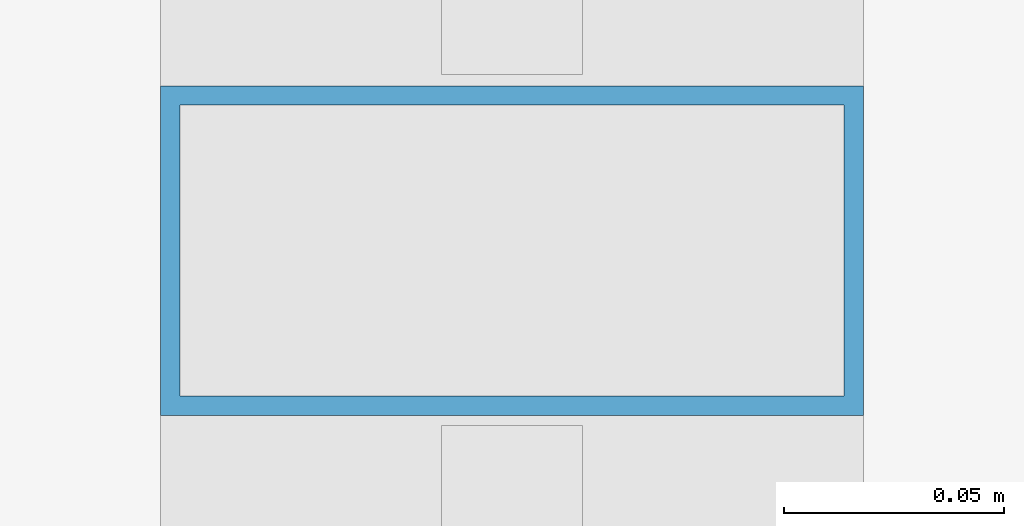
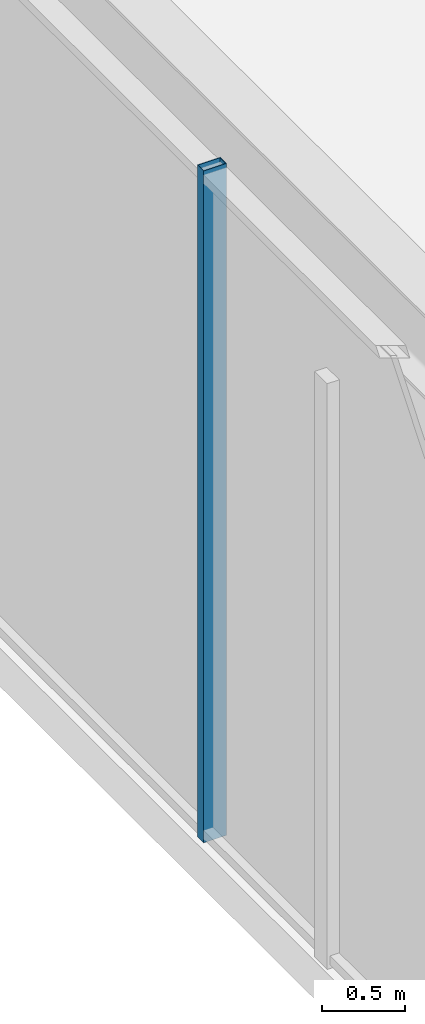
# One storey, part 28 of 49: 1 member, 1 element without a shape of its own.
"""IFC4 building model written with IfcOpenShell, lengths in metres."""

import ifcopenshell
import ifcopenshell.guid

model = None  # the IFC model being written
_history = None  # IfcOwnerHistory: only IFC2X3 demands one
_inside = {}  # id of a spatial element -> (the spatial element, [elements in it])
_under = {}  # id of a project, library or spatial element -> (it, [spatial elements below it])
_declared = {}  # id of a project -> (the project, [libraries it declares])
_typed = {}  # id of a type object -> (the type object, [elements of that type])
_made_of = {}  # id of a material, layer set ... -> (it, [elements and type objects made of it])


def new_model(schema):
    """Start an empty IFC model of exactly this schema.

    Asked for "IFC4X3", IfcOpenShell would pick the latest addendum, in which some entities
    have other attributes; the version numbers below select the first issue.
    IFC2X3 requires an IfcOwnerHistory on every rooted entity: one is made here for all.
    """
    global model, _history
    if schema == "IFC4X3":
        model = ifcopenshell.file(schema_version=(4, 3, 0, 0))
    else:
        model = ifcopenshell.file(schema=schema)
    _inside.clear()
    _under.clear()
    _declared.clear()
    _typed.clear()
    _made_of.clear()
    _history = None
    if model.schema == "IFC2X3":
        org = make("IfcOrganization", Name="unknown")
        user = make(
            "IfcPersonAndOrganization",
            ThePerson=make("IfcPerson", FamilyName="unknown"),
            TheOrganization=org,
        )
        app = make(
            "IfcApplication",
            ApplicationDeveloper=org,
            Version="unknown",
            ApplicationFullName="unknown",
            ApplicationIdentifier="unknown",
        )
        _history = make(
            "IfcOwnerHistory",
            OwningUser=user,
            OwningApplication=app,
            ChangeAction="ADDED",
            CreationDate=0,
        )
    return model


def make(cls, **values):
    """One entity of the class cls with the attributes given. An attribute that is None is left unset."""
    return model.create_entity(
        cls, **{name: value for name, value in values.items() if value is not None}
    )


def rooted(cls, **values):
    """An entity with a GlobalId (a new one), such as an element, a storey or a relation."""
    return make(cls, GlobalId=ifcopenshell.guid.new(), OwnerHistory=_history, **values)


def si_unit(unit_type, name, prefix=None):
    """IfcSIUnit, for example si_unit("LENGTHUNIT", "METRE", prefix="MILLI")."""
    return make("IfcSIUnit", UnitType=unit_type, Prefix=prefix, Name=name)


def assignment(units):
    """IfcUnitAssignment: the units of a project."""
    return None if units is None else make("IfcUnitAssignment", Units=units)


def point(xyz):
    """IfcCartesianPoint."""
    return None if xyz is None else make("IfcCartesianPoint", Coordinates=xyz)


def direction(xyz):
    """IfcDirection."""
    return None if xyz is None else make("IfcDirection", DirectionRatios=xyz)


def frame(location, z_axis=None, x_axis=None):
    """IfcAxis2Placement3D, a coordinate frame: its origin and axes. An axis left out is left unset."""
    return make(
        "IfcAxis2Placement3D",
        Location=point(location),
        Axis=direction(z_axis),
        RefDirection=direction(x_axis),
    )


def frame_2d(location, x_axis=None):
    """IfcAxis2Placement2D, a coordinate frame in the plane: its origin and x axis."""
    return make(
        "IfcAxis2Placement2D", Location=point(location), RefDirection=direction(x_axis)
    )


def origin():
    """The frame at (0, 0, 0) with its axes left unset."""
    return frame((0.0, 0.0, 0.0))


def origin_2d():
    """The frame at (0, 0) in the plane with its x axis left unset."""
    return frame_2d((0.0, 0.0))


def place(relative_to, where):
    """IfcLocalPlacement: puts the frame where relative to a parent placement (None: the world)."""
    return make(
        "IfcLocalPlacement", PlacementRelTo=relative_to, RelativePlacement=where
    )


def context(
    kind, dimensions, precision=None, world=None, true_north=None, identifier=None
):
    """IfcGeometricRepresentationContext, for example the 3D "Model" context."""
    return make(
        "IfcGeometricRepresentationContext",
        ContextIdentifier=identifier,
        ContextType=kind,
        CoordinateSpaceDimension=dimensions,
        Precision=precision,
        WorldCoordinateSystem=world,
        TrueNorth=true_north,
    )


def subcontext(parent, identifier, kind, view, scale=None):
    """IfcGeometricRepresentationSubContext, for example "Body" below "Model"."""
    return make(
        "IfcGeometricRepresentationSubContext",
        ContextIdentifier=identifier,
        ContextType=kind,
        ParentContext=parent,
        TargetScale=scale,
        TargetView=view,
    )


def project(units=None, contexts=None):
    """IfcProject with its units and contexts."""
    return rooted(
        "IfcProject",
        Name="project",
        RepresentationContexts=contexts,
        UnitsInContext=assignment(units),
    )


def spatial(cls, under=None, at=None, **own):
    """A site, building, storey or space (cls), placed at a placement, below another one or the project."""
    s = rooted(cls, ObjectPlacement=at, **own)
    if under is not None:
        _under.setdefault(under.id(), (under, []))[1].append(s)
    return s


def profile(cls, at=None, kind="AREA", **sizes):
    """A parametric profile (cls). Its sizes go by their IFC names, for example OverallWidth=200.0."""
    return make(cls, ProfileType=kind, Position=at, **sizes)


def hollow_rectangle(**sizes):
    """IfcRectangleHollowProfileDef."""
    return profile("IfcRectangleHollowProfileDef", **sizes)


def extrude(swept, where, along, depth):
    """IfcExtrudedAreaSolid: the profile swept, set in the frame where, extruded along a direction by depth."""
    return make(
        "IfcExtrudedAreaSolid",
        SweptArea=swept,
        Position=where,
        ExtrudedDirection=direction(along),
        Depth=depth,
    )


def shape(context_of_items, identifier, shape_type, items):
    """IfcShapeRepresentation: the items that make up one representation, for example the "Body"."""
    return make(
        "IfcShapeRepresentation",
        ContextOfItems=context_of_items,
        RepresentationIdentifier=identifier,
        RepresentationType=shape_type,
        Items=items,
    )


def material(Name=None, Category=None):
    """IfcMaterial."""
    return make("IfcMaterial", Name=Name, Category=Category)


def material_profile(
    of_material, cross_section, Name=None, Category=None, Priority=None
):
    """IfcMaterialProfile: a cross section and its material."""
    return make(
        "IfcMaterialProfile",
        Name=Name,
        Material=of_material,
        Profile=cross_section,
        Priority=Priority,
        Category=Category,
    )


def profile_set(profiles, Name=None, composite=None):
    """IfcMaterialProfileSet."""
    return make(
        "IfcMaterialProfileSet",
        Name=Name,
        MaterialProfiles=profiles,
        CompositeProfile=composite,
    )


def made_of(thing, what):
    """Note that an element or type object is made of a material, layer set ...; save() writes the relation."""
    if what is not None:
        _made_of.setdefault(what.id(), (what, []))[1].append(thing)
    return thing


def type_object(cls, material=None, **own):
    """A type object (cls), such as IfcWallType, which elements share."""
    return made_of(rooted(cls, **own), material)


def element(
    cls,
    number,
    at=None,
    inside=None,
    cuts=None,
    type_object=None,
    material=None,
    context=None,
    identifier="Body",
    shape_type=None,
    held_by="IfcProductDefinitionShape",
    body=None,
    shapes=None,
    **own,
):
    """One element of the class cls, such as IfcWall. Its Tag is "e" and its number.

    at: its placement. inside: the storey or other place that contains it. cuts: it is an
    opening in that element (IfcRelVoidsElement). A single representation is given by context,
    identifier, shape_type and body (its items); several are given by shapes. held_by: the class
    of the entity that holds the representations. save() writes the other relations.
    """
    e = rooted(cls, Tag="e%d" % number, ObjectPlacement=at, **own)
    if body is not None:
        shapes = [shape(context, identifier, shape_type, body)]
    if shapes is not None:
        e.Representation = make(held_by, Representations=shapes)
    if inside is not None:
        _inside.setdefault(inside.id(), (inside, []))[1].append(e)
    if cuts is not None:
        rooted(
            "IfcRelVoidsElement", RelatingBuildingElement=cuts, RelatedOpeningElement=e
        )
    if type_object is not None:
        _typed.setdefault(type_object.id(), (type_object, []))[1].append(e)
    return made_of(e, material)


def aggregate(whole, parts):
    """IfcRelAggregates: a whole, such as a stair, and the parts it consists of."""
    return rooted("IfcRelAggregates", RelatingObject=whole, RelatedObjects=parts)


def save(model, path):
    """Write the relations noted so far, then the file.

    IfcRelAggregates (storeys below a building ...), IfcRelContainedInSpatialStructure (elements
    in a storey), IfcRelDefinesByType, IfcRelAssociatesMaterial and IfcRelDeclares: one each for
    every whole, place, type object, material and project.
    """
    for whole, parts in _under.values():
        aggregate(whole, parts)
    for where, things in _inside.values():
        rooted(
            "IfcRelContainedInSpatialStructure",
            RelatedElements=things,
            RelatingStructure=where,
        )
    for kind, things in _typed.values():
        rooted("IfcRelDefinesByType", RelatedObjects=things, RelatingType=kind)
    for what, things in _made_of.values():
        rooted("IfcRelAssociatesMaterial", RelatedObjects=things, RelatingMaterial=what)
    for by, libraries in _declared.values():
        rooted("IfcRelDeclares", RelatingContext=by, RelatedDefinitions=libraries)
    model.write(path)


model = new_model("IFC4")

# Units and contexts
model_context = context("Model", 3, precision=1e-05, world=origin(), true_north=direction((0.0, 1.0)))
body_context = subcontext(model_context, "Body", "Model", "MODEL_VIEW")
ifc_project = project(units=[si_unit("LENGTHUNIT", "METRE"), si_unit("AREAUNIT", "SQUARE_METRE"), si_unit("VOLUMEUNIT", "CUBIC_METRE"), si_unit("PLANEANGLEUNIT", "RADIAN"), si_unit("MASSUNIT", "GRAM", prefix="KILO")], contexts=[model_context])

# Site, building, storey
site_placement = place(None, origin())
site = spatial("IfcSite", under=ifc_project, at=site_placement, CompositionType="ELEMENT")
building_placement = place(site_placement, origin())
building = spatial("IfcBuilding", under=site, at=building_placement, Name="Kolvaren Belvedere", CompositionType="ELEMENT")
storey_placement = place(building_placement, frame((0.0, 0.0, 10.0)))
storey = spatial("IfcBuildingStorey", under=building, at=storey_placement, Name="L03", CompositionType="ELEMENT", Elevation=10.0)

# Curtain wall, member
ifc_material_1 = material(Name="Anodised pale-metal aluminium AA 6063-T6", Category="aluminium")
curtain_wall_type = type_object("IfcCurtainWallType", Name="CW-POD-A", PredefinedType="NOTDEFINED", material=ifc_material_1)
curtain_wall_placement = place(storey_placement, origin())
curtain_wall = element("IfcCurtainWall", 1, at=curtain_wall_placement, inside=storey, type_object=curtain_wall_type, Name="L03 Unitised Curtain Wall FCW-L03-SEG8", PredefinedType="NOTDEFINED")
ifc_material_2 = material(Name="Anodised pale-metal aluminium AA 6063-T6", Category="aluminium")
ifc_material_profile = material_profile(ifc_material_2, hollow_rectangle(XDim=0.074951171875, YDim=0.159912109375, WallThickness=0.00439453125, at=origin_2d()), Name="ALU-MUL-160X75")
ifc_profile_set = profile_set([ifc_material_profile], Name="Anodised pale-metal aluminium AA 6063-T6")
member_type = type_object("IfcMemberType", Name="CW-MUL-160", PredefinedType="MULLION", material=ifc_profile_set)
member_placement = place(storey_placement, frame((-27.8798828125, 14.199951171875, 0.0), z_axis=(0.0, 0.0, 1.0), x_axis=(0.0, 1.0, 0.0)))
member = element("IfcMember", 2, at=member_placement, type_object=member_type, Name="FCW-L03-SEG8 Unitised Mullion 4", PredefinedType="MULLION", context=body_context, shape_type="SweptSolid", body=[
    extrude(hollow_rectangle(XDim=0.074951171875, YDim=0.159912109375, WallThickness=0.00439453125, at=origin_2d()), origin(), (0.0, 0.0, 1.0), 4.919921875),
])
aggregate(curtain_wall, [member])

save(model, "model.ifc")
